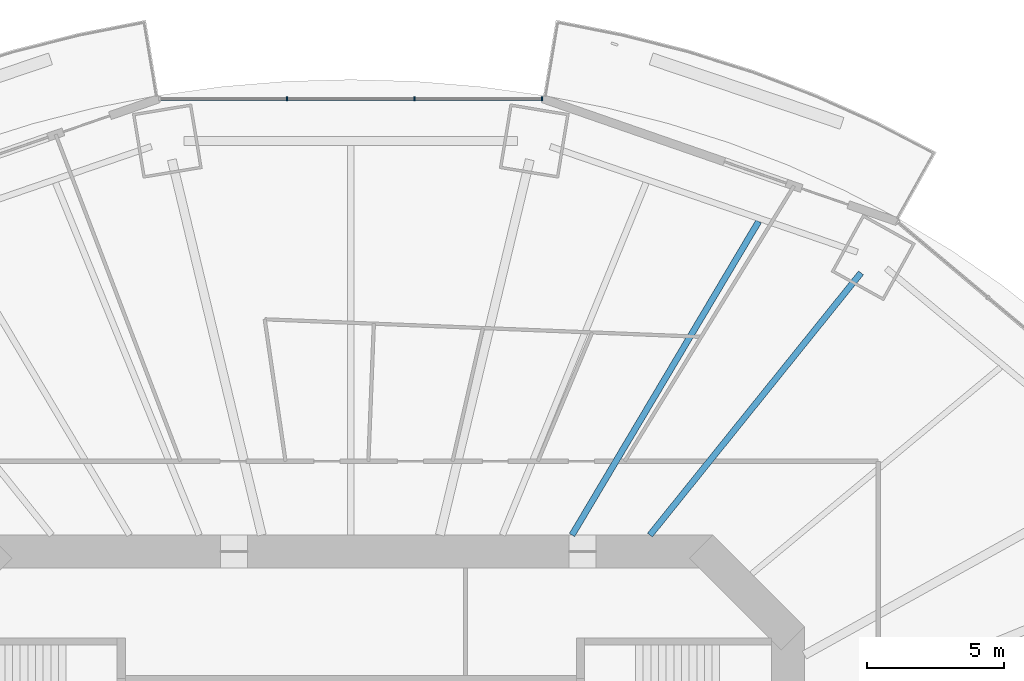
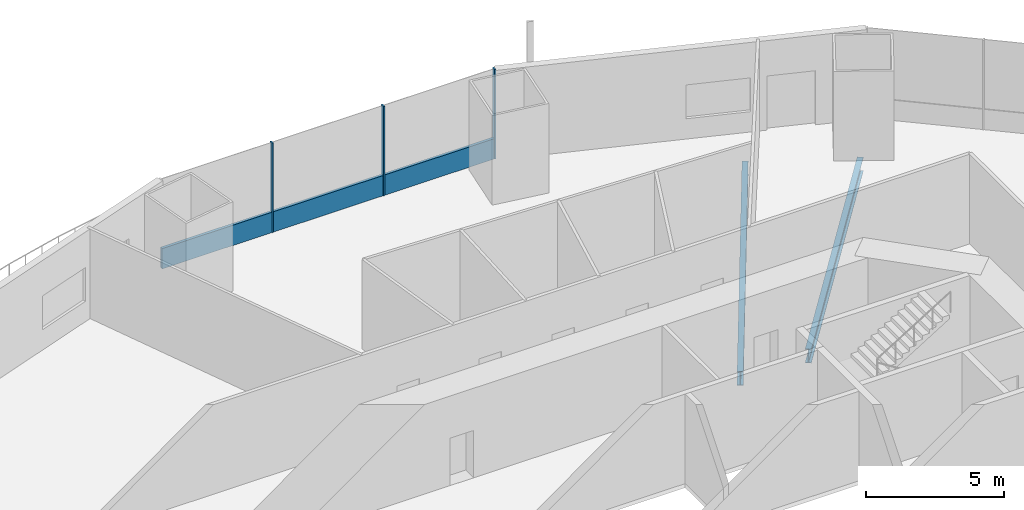
# One storey, part 9 of 23: 4 members, 2 beams, 1 element without a shape of its own.
"""IFC4 building model written with IfcOpenShell, lengths in metres."""

from ifc_helpers import new_model, si_unit, direction, frame, origin, origin_2d, place, context, subcontext, project, spatial, rectangle, i_section, extrude, material, material_profile, profile_set, type_object, element, aggregate, save


model = new_model("IFC4")

# Units and contexts
model_context = context("Model", 3, precision=1e-05, world=origin(), true_north=direction((0.0, 1.0)))
body_context = subcontext(model_context, "Body", "Model", "MODEL_VIEW")
ifc_project = project(units=[si_unit("LENGTHUNIT", "METRE"), si_unit("AREAUNIT", "SQUARE_METRE"), si_unit("VOLUMEUNIT", "CUBIC_METRE"), si_unit("PLANEANGLEUNIT", "RADIAN"), si_unit("MASSUNIT", "GRAM", prefix="KILO")], contexts=[model_context])

# Site, building, storey
site_placement = place(None, origin())
site = spatial("IfcSite", under=ifc_project, at=site_placement, CompositionType="ELEMENT")
building_placement = place(site_placement, origin())
building = spatial("IfcBuilding", under=site, at=building_placement, Name="Marenthal Gate Tower", CompositionType="ELEMENT")
storey_placement = place(building_placement, frame((0.0, 0.0, 57.89990234375)))
storey = spatial("IfcBuildingStorey", under=building, at=storey_placement, Name="L10", CompositionType="ELEMENT", Elevation=57.89990234375)

# Curtain wall, members
ifc_material_1 = material(Name="Aluminium and glass", Category="aluminium")
curtain_wall_type = type_object("IfcCurtainWallType", Name="Curtain wall typical low", PredefinedType="NOTDEFINED", material=ifc_material_1)
curtain_wall_placement = place(storey_placement, origin())
curtain_wall = element("IfcCurtainWall", 1, at=curtain_wall_placement, inside=storey, type_object=curtain_wall_type, Name="Curtain wall L10 bay 4", PredefinedType="NOTDEFINED")
ifc_material_2 = material(Name="Aluminium", Category="aluminium")
ifc_material_profile_1 = material_profile(ifc_material_2, rectangle(XDim=0.159912109375, YDim=0.06005859375, at=origin_2d()), Name="60x160 aluminium mullion")
ifc_profile_set_1 = profile_set([ifc_material_profile_1], Name="Aluminium")
member_type_1 = type_object("IfcMemberType", Name="Mullion 60x160 typical low", PredefinedType="MULLION", material=ifc_profile_set_1)
member_1_placement = place(storey_placement, frame((6.9921875, 29.569580078125, 0.0), z_axis=(0.0, 0.0, 1.0), x_axis=(0.0, -1.0, 0.0)))
member_1 = element("IfcMember", 2, at=member_1_placement, type_object=member_type_1, Name="Mullion L10 bay 4.1", PredefinedType="MULLION", context=body_context, shape_type="SweptSolid", body=[
    extrude(rectangle(XDim=0.159912109375, YDim=0.06005859375, at=origin_2d()), origin(), (0.0, 0.0, 1.0), 3.97021484375),
])
member_2_placement = place(storey_placement, frame((2.330810546875, 29.569580078125, 0.0), z_axis=(0.0, 0.0, 1.0), x_axis=(0.0, -1.0, 0.0)))
member_2 = element("IfcMember", 3, at=member_2_placement, type_object=member_type_1, Name="Mullion L10 bay 4.2", PredefinedType="MULLION", context=body_context, shape_type="SweptSolid", body=[
    extrude(rectangle(XDim=0.159912109375, YDim=0.06005859375, at=origin_2d()), origin(), (0.0, 0.0, 1.0), 3.97021484375),
])
member_3_placement = place(storey_placement, frame((-2.330810546875, 29.569580078125, 0.0), z_axis=(0.0, 0.0, 1.0), x_axis=(0.0, -1.0, 0.0)))
member_3 = element("IfcMember", 4, at=member_3_placement, type_object=member_type_1, Name="Mullion L10 bay 4.3", PredefinedType="MULLION", context=body_context, shape_type="SweptSolid", body=[
    extrude(rectangle(XDim=0.159912109375, YDim=0.06005859375, at=origin_2d()), origin(), (0.0, 0.0, 1.0), 3.97021484375),
])
ifc_material_3 = material(Name="Aluminium", Category="aluminium")
ifc_material_profile_2 = material_profile(ifc_material_3, rectangle(XDim=0.1201171875, YDim=0.89990234375, at=origin_2d()), Name="120x900 aluminium transom")
ifc_profile_set_2 = profile_set([ifc_material_profile_2], Name="Aluminium")
member_type_2 = type_object("IfcMemberType", Name="Transom 120x900 typical low", PredefinedType="USERDEFINED", material=ifc_profile_set_2)
member_4_placement = place(storey_placement, frame((6.96240234375, 29.569580078125, 0.4501953125), z_axis=(-1.0, 0.0, 0.0), x_axis=(0.0, -1.0, 0.0)))
member_4 = element("IfcMember", 5, at=member_4_placement, type_object=member_type_2, Name="Transom L10 bay 4", ObjectType="TRANSOM", PredefinedType="USERDEFINED", context=body_context, shape_type="SweptSolid", body=[
    extrude(rectangle(XDim=0.1201171875, YDim=0.89990234375, at=origin_2d()), origin(), (0.0, 0.0, 1.0), 13.9248046875),
])
aggregate(curtain_wall, [member_1, member_2, member_3, member_4])

# Beams
ifc_material_4 = material(Name="Steel S355", Category="steel")
ifc_material_profile_3 = material_profile(ifc_material_4, i_section(OverallWidth=0.22900390625, OverallDepth=0.612060546875, WebThickness=0.011962890625, FlangeThickness=0.01953125, FilletRadius=0.0126953125, at=origin_2d()), Name="W610X125")
ifc_profile_set_3 = profile_set([ifc_material_profile_3], Name="Steel S355")
beam_type = type_object("IfcBeamType", Name="W610X125 beam", PredefinedType="BEAM", material=ifc_profile_set_3)
beam_1_placement = place(storey_placement, frame((18.669921875, 23.195068359375, -0.48583984375), z_axis=(-0.62702730147, -0.778997280618, 0.0), x_axis=(0.778997280618, -0.62702730147, 0.0)))
element("IfcBeam", 6, at=beam_1_placement, inside=storey, type_object=beam_type, Name="BM-L10-03", PredefinedType="BEAM", context=body_context, shape_type="SweptSolid", body=[
    extrude(i_section(OverallWidth=0.22900390625, OverallDepth=0.612060546875, WebThickness=0.011962890625, FlangeThickness=0.01953125, FilletRadius=0.0126953125, at=origin_2d()), origin(), (0.0, 0.0, 1.0), 12.317138671875),
])
beam_2_placement = place(storey_placement, frame((14.9248046875, 25.07568359375, -0.48583984375), z_axis=(-0.51146264721, -0.859305510578, 0.0), x_axis=(0.859305510578, -0.51146264721, 0.0)))
element("IfcBeam", 7, at=beam_2_placement, inside=storey, type_object=beam_type, Name="BM-L10-20", PredefinedType="BEAM", context=body_context, shape_type="SweptSolid", body=[
    extrude(i_section(OverallWidth=0.22900390625, OverallDepth=0.612060546875, WebThickness=0.011962890625, FlangeThickness=0.01953125, FilletRadius=0.0126953125, at=origin_2d()), origin(), (0.0, 0.0, 1.0), 13.3544921875),
])

save(model, "model.ifc")
